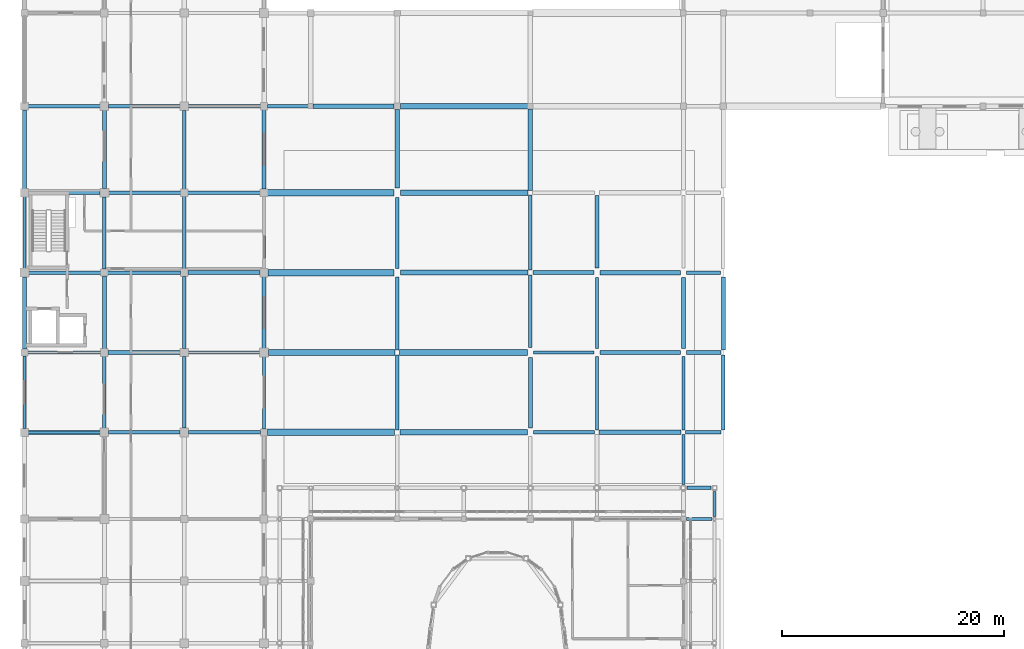
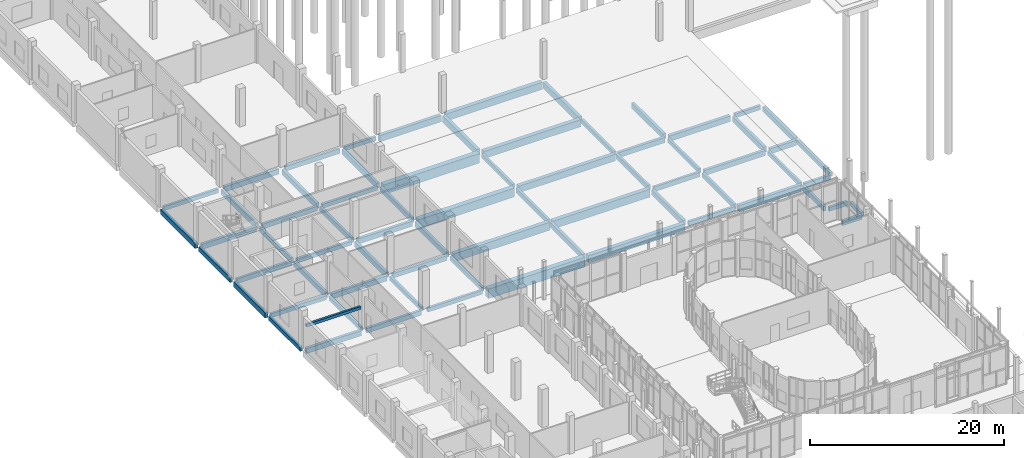
# One storey, part 49 of 91: 71 beams.
"""IFC4 building model written with IfcOpenShell, lengths in metres."""

from ifc_helpers import new_model, si_unit, direction, frame, origin, origin_2d, place, context, subcontext, project, spatial, rectangle, extrude, material, material_profile, profile_set, type_object, element, save


model = new_model("IFC4")

# Units and contexts
model_context = context("Model", 3, precision=1e-05, world=origin(), true_north=direction((0.0, 1.0)))
body_context = subcontext(model_context, "Body", "Model", "MODEL_VIEW")
ifc_project = project(units=[si_unit("LENGTHUNIT", "METRE"), si_unit("AREAUNIT", "SQUARE_METRE"), si_unit("VOLUMEUNIT", "CUBIC_METRE"), si_unit("PLANEANGLEUNIT", "RADIAN"), si_unit("MASSUNIT", "GRAM", prefix="KILO")], contexts=[model_context])

# Site, building, storey
site_placement = place(None, origin())
site = spatial("IfcSite", under=ifc_project, at=site_placement, CompositionType="ELEMENT")
building_placement = place(site_placement, origin())
building = spatial("IfcBuilding", under=site, at=building_placement, Name="Vinh Khe Railworks Police Headquarters", CompositionType="ELEMENT")
storey_placement = place(building_placement, origin())
storey = spatial("IfcBuildingStorey", under=building, at=storey_placement, Name="L00", CompositionType="ELEMENT", Elevation=0.0)

# Beams
ifc_material = material(Name="Concrete C35/45 (B35)", Category="concrete")
ifc_material_profile_1 = material_profile(ifc_material, rectangle(XDim=0.300048828125, YDim=0.5, at=origin_2d()), Name="RC 300x500")
ifc_profile_set_1 = profile_set([ifc_material_profile_1], Name="Concrete C35/45 (B35)")
beam_type_1 = type_object("IfcBeamType", Name="RC Girder RC 300x500", PredefinedType="BEAM", material=ifc_profile_set_1)
beam_1_placement = place(storey_placement, frame((60.304931640625, 61.60009765625, -0.530029296875), z_axis=(1.0, 0.0, 0.0), x_axis=(0.0, 1.0, 0.0)))
element("IfcBeam", 1, at=beam_1_placement, inside=storey, type_object=beam_type_1, Name="Girder BM-L00-EW-RB-10-0090", PredefinedType="BEAM", context=body_context, shape_type="SweptSolid", body=[
    extrude(rectangle(XDim=0.300048828125, YDim=0.5, at=origin_2d()), origin(), (0.0, 0.0, 1.0), 2.190185546875),
])
beam_2_placement = place(storey_placement, frame((15.3798828125, 66.60009765625, -0.530029296875), z_axis=(1.0, 0.0, 0.0), x_axis=(0.0, 1.0, 0.0)))
element("IfcBeam", 2, at=beam_2_placement, inside=storey, type_object=beam_type_1, Name="Girder BM-L00-EW-RB-10-0093", PredefinedType="BEAM", context=body_context, shape_type="SweptSolid", body=[
    extrude(rectangle(XDim=0.300048828125, YDim=0.5, at=origin_2d()), origin(), (0.0, 0.0, 1.0), 6.51513671875),
])
beam_3_placement = place(storey_placement, frame((46.47998046875, 66.60009765625, -0.530029296875), z_axis=(1.0, 0.0, 0.0), x_axis=(0.0, 1.0, 0.0)))
element("IfcBeam", 3, at=beam_3_placement, inside=storey, type_object=beam_type_1, Name="Girder BM-L00-EW-RB-10-0096", PredefinedType="BEAM", context=body_context, shape_type="SweptSolid", body=[
    extrude(rectangle(XDim=0.300048828125, YDim=0.5, at=origin_2d()), origin(), (0.0, 0.0, 1.0), 5.51513671875),
])
for number, where, z_axis, x_axis, name in (
    (4, (0.905029296875, 73.800048828125, -0.530029296875), (1.0, 0.0, 0.0), (0.0, 1.0, 0.0), "Girder BM-L00-EW-RB-10-0099"),
    (5, (8.10498046875, 81.0, -0.530029296875), (1.0, 0.0, 0.0), (0.0, 1.0, 0.0), "Girder BM-L00-EW-RB-10-0108"),
):
    element("IfcBeam", number, at=place(storey_placement, frame(where, z_axis=z_axis, x_axis=x_axis)), inside=storey, type_object=beam_type_1, Name=name, PredefinedType="BEAM", context=body_context, shape_type="SweptSolid", body=[
        extrude(rectangle(XDim=0.300048828125, YDim=0.5, at=origin_2d()), origin(), (0.0, 0.0, 1.0), 6.56494140625),
    ])
beam_4_placement = place(storey_placement, frame((60.280029296875, 81.0, -0.530029296875), z_axis=(1.0, 0.0, 0.0), x_axis=(0.0, 1.0, 0.0)))
element("IfcBeam", 6, at=beam_4_placement, inside=storey, type_object=beam_type_1, Name="Girder BM-L00-EW-RB-10-0114", PredefinedType="BEAM", context=body_context, shape_type="SweptSolid", body=[
    extrude(rectangle(XDim=0.300048828125, YDim=0.5, at=origin_2d()), origin(), (0.0, 0.0, 1.0), 3.0400390625),
])
beam_5_placement = place(storey_placement, frame((15.304931640625, 88.199951171875, -0.530029296875), z_axis=(1.0, 0.0, 0.0), x_axis=(0.0, 1.0, 0.0)))
element("IfcBeam", 7, at=beam_5_placement, inside=storey, type_object=beam_type_1, Name="Girder BM-L00-EW-RB-10-0117", PredefinedType="BEAM", context=body_context, shape_type="SweptSolid", body=[
    extrude(rectangle(XDim=0.300048828125, YDim=0.5, at=origin_2d()), origin(), (0.0, 0.0, 1.0), 6.565185546875),
])
beam_6_placement = place(storey_placement, frame((0.929931640625, 96.0, -0.530029296875), z_axis=(1.0, 0.0, 0.0), x_axis=(0.0, 1.0, 0.0)))
element("IfcBeam", 8, at=beam_6_placement, inside=storey, type_object=beam_type_1, Name="Girder BM-L00-EW-RB-10-0123", PredefinedType="BEAM", context=body_context, shape_type="SweptSolid", body=[
    extrude(rectangle(XDim=0.300048828125, YDim=0.5, at=origin_2d()), origin(), (0.0, 0.0, 1.0), 6.51513671875),
])
beam_7_placement = place(storey_placement, frame((22.5048828125, 96.0, -0.530029296875), z_axis=(1.0, 0.0, 0.0), x_axis=(0.0, 1.0, 0.0)))
element("IfcBeam", 9, at=beam_7_placement, inside=storey, type_object=beam_type_1, Name="Girder BM-L00-EW-RB-10-0126", PredefinedType="BEAM", context=body_context, shape_type="SweptSolid", body=[
    extrude(rectangle(XDim=0.300048828125, YDim=0.5, at=origin_2d()), origin(), (0.0, 0.0, 1.0), 3.690185546875),
])
beam_8_placement = place(storey_placement, frame((0.60009765625, 66.929931640625, -0.530029296875), z_axis=(0.0, 1.0, 0.0), x_axis=(-1.0, 0.0, 0.0)))
element("IfcBeam", 10, at=beam_8_placement, inside=storey, type_object=beam_type_1, Name="Girder BM-L00-NS-RB-10-0201", PredefinedType="BEAM", context=body_context, shape_type="SweptSolid", body=[
    extrude(rectangle(XDim=0.300048828125, YDim=0.5, at=origin_2d()), origin(), (0.0, 0.0, 1.0), 6.565185546875),
])
beam_9_placement = place(storey_placement, frame((7.800048828125, 66.955078125, -0.530029296875), z_axis=(0.0, 1.0, 0.0), x_axis=(-1.0, 0.0, 0.0)))
element("IfcBeam", 11, at=beam_9_placement, inside=storey, type_object=beam_type_1, Name="Girder BM-L00-NS-RB-10-0219", PredefinedType="BEAM", context=body_context, shape_type="SweptSolid", body=[
    extrude(rectangle(XDim=0.300048828125, YDim=0.5, at=origin_2d()), origin(), (0.0, 0.0, 1.0), 6.514892578125),
])
beam_10_placement = place(storey_placement, frame((15.0, 66.97998046875, -0.530029296875), z_axis=(0.0, 1.0, 0.0), x_axis=(-1.0, 0.0, 0.0)))
element("IfcBeam", 12, at=beam_10_placement, inside=storey, type_object=beam_type_1, Name="Girder BM-L00-NS-RB-10-0237", PredefinedType="BEAM", context=body_context, shape_type="SweptSolid", body=[
    extrude(rectangle(XDim=0.300048828125, YDim=0.5, at=origin_2d()), origin(), (0.0, 0.0, 1.0), 6.465087890625),
])
beam_11_placement = place(storey_placement, frame((22.199951171875, 66.905029296875, -0.530029296875), z_axis=(0.0, 1.0, 0.0), x_axis=(-1.0, 0.0, 0.0)))
element("IfcBeam", 13, at=beam_11_placement, inside=storey, type_object=beam_type_1, Name="Girder BM-L00-NS-RB-10-0255", PredefinedType="BEAM", context=body_context, shape_type="SweptSolid", body=[
    extrude(rectangle(XDim=0.300048828125, YDim=0.5, at=origin_2d()), origin(), (0.0, 0.0, 1.0), 6.514892578125),
])
beam_12_placement = place(storey_placement, frame((34.199951171875, 81.3798828125, -0.530029296875), z_axis=(0.0, 1.0, 0.0), x_axis=(-1.0, 0.0, 0.0)))
element("IfcBeam", 14, at=beam_12_placement, inside=storey, type_object=beam_type_1, Name="Girder BM-L00-NS-RB-10-0291", PredefinedType="BEAM", context=body_context, shape_type="SweptSolid", body=[
    extrude(rectangle(XDim=0.300048828125, YDim=0.5, at=origin_2d()), origin(), (0.0, 0.0, 1.0), 6.39013671875),
])
beam_13_placement = place(storey_placement, frame((46.199951171875, 81.22998046875, -0.530029296875), z_axis=(0.0, 1.0, 0.0), x_axis=(-1.0, 0.0, 0.0)))
element("IfcBeam", 15, at=beam_13_placement, inside=storey, type_object=beam_type_1, Name="Girder BM-L00-NS-RB-10-0306", PredefinedType="BEAM", context=body_context, shape_type="SweptSolid", body=[
    extrude(rectangle(XDim=0.300048828125, YDim=0.5, at=origin_2d()), origin(), (0.0, 0.0, 1.0), 6.76513671875),
])
beam_14_placement = place(storey_placement, frame((52.199951171875, 74.179931640625, -0.530029296875), z_axis=(0.0, 1.0, 0.0), x_axis=(-1.0, 0.0, 0.0)))
element("IfcBeam", 16, at=beam_14_placement, inside=storey, type_object=beam_type_1, Name="Girder BM-L00-NS-RB-10-0315", PredefinedType="BEAM", context=body_context, shape_type="SweptSolid", body=[
    extrude(rectangle(XDim=0.300048828125, YDim=0.5, at=origin_2d()), origin(), (0.0, 0.0, 1.0), 6.39013671875),
])
beam_15_placement = place(storey_placement, frame((60.0, 66.804931640625, -0.530029296875), z_axis=(0.0, 1.0, 0.0), x_axis=(-1.0, 0.0, 0.0)))
element("IfcBeam", 17, at=beam_15_placement, inside=storey, type_object=beam_type_1, Name="Girder BM-L00-NS-RB-10-0330", PredefinedType="BEAM", context=body_context, shape_type="SweptSolid", body=[
    extrude(rectangle(XDim=0.300048828125, YDim=0.5, at=origin_2d()), origin(), (0.0, 0.0, 1.0), 6.614990234375),
])
beam_16_placement = place(storey_placement, frame((62.800048828125, 59.030029296875, -0.530029296875), z_axis=(0.0, 1.0, 0.0), x_axis=(-1.0, 0.0, 0.0)))
element("IfcBeam", 18, at=beam_16_placement, inside=storey, type_object=beam_type_1, Name="Girder BM-L00-NS-RB-10-0342", PredefinedType="BEAM", context=body_context, shape_type="SweptSolid", body=[
    extrude(rectangle(XDim=0.300048828125, YDim=0.5, at=origin_2d()), origin(), (0.0, 0.0, 1.0), 2.264892578125),
])
beam_17_placement = place(storey_placement, frame((63.60009765625, 66.830078125, -0.530029296875), z_axis=(0.0, 1.0, 0.0), x_axis=(-1.0, 0.0, 0.0)))
element("IfcBeam", 19, at=beam_17_placement, inside=storey, type_object=beam_type_1, Name="Girder BM-L00-NS-RB-10-0345", PredefinedType="BEAM", context=body_context, shape_type="SweptSolid", body=[
    extrude(rectangle(XDim=0.300048828125, YDim=0.5, at=origin_2d()), origin(), (0.0, 0.0, 1.0), 6.764892578125),
])
ifc_material_profile_2 = material_profile(ifc_material, rectangle(XDim=0.300048828125, YDim=0.60009765625, at=origin_2d()), Name="RC 300x600")
ifc_profile_set_2 = profile_set([ifc_material_profile_2], Name="Concrete C35/45 (B35)")
beam_type_2 = type_object("IfcBeamType", Name="RC Girder RC 300x600", PredefinedType="BEAM", material=ifc_profile_set_2)
beam_18_placement = place(storey_placement, frame((60.2548828125, 58.800048828125, -0.580078125), z_axis=(1.0, 0.0, 0.0), x_axis=(0.0, 1.0, 0.0)))
element("IfcBeam", 20, at=beam_18_placement, inside=storey, type_object=beam_type_2, Name="Girder BM-L00-EW-RB-09-0083", PredefinedType="BEAM", context=body_context, shape_type="SweptSolid", body=[
    extrude(rectangle(XDim=0.300048828125, YDim=0.60009765625, at=origin_2d()), origin(), (0.0, 0.0, 1.0), 2.315185546875),
])
beam_19_placement = place(storey_placement, frame((8.155029296875, 66.60009765625, -0.580078125), z_axis=(1.0, 0.0, 0.0), x_axis=(0.0, 1.0, 0.0)))
element("IfcBeam", 21, at=beam_19_placement, inside=storey, type_object=beam_type_2, Name="Girder BM-L00-EW-RB-09-0092", PredefinedType="BEAM", context=body_context, shape_type="SweptSolid", body=[
    extrude(rectangle(XDim=0.300048828125, YDim=0.60009765625, at=origin_2d()), origin(), (0.0, 0.0, 1.0), 6.465087890625),
])
beam_20_placement = place(storey_placement, frame((60.205078125, 66.60009765625, -0.580078125), z_axis=(1.0, 0.0, 0.0), x_axis=(0.0, 1.0, 0.0)))
element("IfcBeam", 22, at=beam_20_placement, inside=storey, type_object=beam_type_2, Name="Girder BM-L00-EW-RB-09-0098", PredefinedType="BEAM", context=body_context, shape_type="SweptSolid", body=[
    extrude(rectangle(XDim=0.300048828125, YDim=0.60009765625, at=origin_2d()), origin(), (0.0, 0.0, 1.0), 3.1650390625),
])
beam_21_placement = place(storey_placement, frame((15.35498046875, 73.800048828125, -0.580078125), z_axis=(1.0, 0.0, 0.0), x_axis=(0.0, 1.0, 0.0)))
element("IfcBeam", 23, at=beam_21_placement, inside=storey, type_object=beam_type_2, Name="Girder BM-L00-EW-RB-09-0101", PredefinedType="BEAM", context=body_context, shape_type="SweptSolid", body=[
    extrude(rectangle(XDim=0.300048828125, YDim=0.60009765625, at=origin_2d()), origin(), (0.0, 0.0, 1.0), 6.465087890625),
])
beam_22_placement = place(storey_placement, frame((46.47998046875, 73.800048828125, -0.580078125), z_axis=(1.0, 0.0, 0.0), x_axis=(0.0, 1.0, 0.0)))
element("IfcBeam", 24, at=beam_22_placement, inside=storey, type_object=beam_type_2, Name="Girder BM-L00-EW-RB-09-0104", PredefinedType="BEAM", context=body_context, shape_type="SweptSolid", body=[
    extrude(rectangle(XDim=0.300048828125, YDim=0.60009765625, at=origin_2d()), origin(), (0.0, 0.0, 1.0), 5.43994140625),
])
for number, where, z_axis, x_axis, name in (
    (25, (0.97998046875, 81.0, -0.580078125), (1.0, 0.0, 0.0), (0.0, 1.0, 0.0), "Girder BM-L00-EW-RB-09-0107"),
    (26, (8.179931640625, 88.199951171875, -0.580078125), (1.0, 0.0, 0.0), (0.0, 1.0, 0.0), "Girder BM-L00-EW-RB-09-0116"),
    (27, (15.3798828125, 96.0, -0.580078125), (1.0, 0.0, 0.0), (0.0, 1.0, 0.0), "Girder BM-L00-EW-RB-09-0125"),
):
    element("IfcBeam", number, at=place(storey_placement, frame(where, z_axis=z_axis, x_axis=x_axis)), inside=storey, type_object=beam_type_2, Name=name, PredefinedType="BEAM", context=body_context, shape_type="SweptSolid", body=[
        extrude(rectangle(XDim=0.300048828125, YDim=0.60009765625, at=origin_2d()), origin(), (0.0, 0.0, 1.0), 6.51513671875),
    ])
beam_23_placement = place(storey_placement, frame((0.60009765625, 81.3798828125, -0.580078125), z_axis=(0.0, 1.0, 0.0), x_axis=(-1.0, 0.0, 0.0)))
element("IfcBeam", 28, at=beam_23_placement, inside=storey, type_object=beam_type_2, Name="Girder BM-L00-NS-RB-09-0203", PredefinedType="BEAM", context=body_context, shape_type="SweptSolid", body=[
    extrude(rectangle(XDim=0.300048828125, YDim=0.60009765625, at=origin_2d()), origin(), (0.0, 0.0, 1.0), 6.465087890625),
])
beam_24_placement = place(storey_placement, frame((7.800048828125, 81.304931640625, -0.580078125), z_axis=(0.0, 1.0, 0.0), x_axis=(-1.0, 0.0, 0.0)))
element("IfcBeam", 29, at=beam_24_placement, inside=storey, type_object=beam_type_2, Name="Girder BM-L00-NS-RB-09-0221", PredefinedType="BEAM", context=body_context, shape_type="SweptSolid", body=[
    extrude(rectangle(XDim=0.300048828125, YDim=0.60009765625, at=origin_2d()), origin(), (0.0, 0.0, 1.0), 6.51513671875),
])
beam_25_placement = place(storey_placement, frame((15.0, 81.330078125, -0.580078125), z_axis=(0.0, 1.0, 0.0), x_axis=(-1.0, 0.0, 0.0)))
element("IfcBeam", 30, at=beam_25_placement, inside=storey, type_object=beam_type_2, Name="Girder BM-L00-NS-RB-09-0239", PredefinedType="BEAM", context=body_context, shape_type="SweptSolid", body=[
    extrude(rectangle(XDim=0.300048828125, YDim=0.60009765625, at=origin_2d()), origin(), (0.0, 0.0, 1.0), 6.56494140625),
])
beam_26_placement = place(storey_placement, frame((22.199951171875, 81.35498046875, -0.580078125), z_axis=(0.0, 1.0, 0.0), x_axis=(-1.0, 0.0, 0.0)))
element("IfcBeam", 31, at=beam_26_placement, inside=storey, type_object=beam_type_2, Name="Girder BM-L00-NS-RB-09-0257", PredefinedType="BEAM", context=body_context, shape_type="SweptSolid", body=[
    extrude(rectangle(XDim=0.300048828125, YDim=0.60009765625, at=origin_2d()), origin(), (0.0, 0.0, 1.0), 6.51513671875),
])
beam_27_placement = place(storey_placement, frame((34.199951171875, 74.0048828125, -0.580078125), z_axis=(0.0, 1.0, 0.0), x_axis=(-1.0, 0.0, 0.0)))
element("IfcBeam", 32, at=beam_27_placement, inside=storey, type_object=beam_type_2, Name="Girder BM-L00-NS-RB-09-0290", PredefinedType="BEAM", context=body_context, shape_type="SweptSolid", body=[
    extrude(rectangle(XDim=0.300048828125, YDim=0.60009765625, at=origin_2d()), origin(), (0.0, 0.0, 1.0), 6.615234375),
])
beam_28_placement = place(storey_placement, frame((46.199951171875, 74.22998046875, -0.580078125), z_axis=(0.0, 1.0, 0.0), x_axis=(-1.0, 0.0, 0.0)))
element("IfcBeam", 33, at=beam_28_placement, inside=storey, type_object=beam_type_2, Name="Girder BM-L00-NS-RB-09-0305", PredefinedType="BEAM", context=body_context, shape_type="SweptSolid", body=[
    extrude(rectangle(XDim=0.300048828125, YDim=0.60009765625, at=origin_2d()), origin(), (0.0, 0.0, 1.0), 6.5400390625),
])
beam_29_placement = place(storey_placement, frame((52.199951171875, 66.804931640625, -0.580078125), z_axis=(0.0, 1.0, 0.0), x_axis=(-1.0, 0.0, 0.0)))
element("IfcBeam", 34, at=beam_29_placement, inside=storey, type_object=beam_type_2, Name="Girder BM-L00-NS-RB-09-0314", PredefinedType="BEAM", context=body_context, shape_type="SweptSolid", body=[
    extrude(rectangle(XDim=0.300048828125, YDim=0.60009765625, at=origin_2d()), origin(), (0.0, 0.0, 1.0), 6.614990234375),
])
beam_30_placement = place(storey_placement, frame((60.0, 61.905029296875, -0.580078125), z_axis=(0.0, 1.0, 0.0), x_axis=(-1.0, 0.0, 0.0)))
element("IfcBeam", 35, at=beam_30_placement, inside=storey, type_object=beam_type_2, Name="Girder BM-L00-NS-RB-09-0329", PredefinedType="BEAM", context=body_context, shape_type="SweptSolid", body=[
    extrude(rectangle(XDim=0.300048828125, YDim=0.60009765625, at=origin_2d()), origin(), (0.0, 0.0, 1.0), 4.489990234375),
])
ifc_material_profile_3 = material_profile(ifc_material, rectangle(XDim=0.35009765625, YDim=0.64990234375, at=origin_2d()), Name="RC 350x650")
ifc_profile_set_3 = profile_set([ifc_material_profile_3], Name="Concrete C35/45 (B35)")
beam_type_3 = type_object("IfcBeamType", Name="RC Girder RC 350x650", PredefinedType="BEAM", material=ifc_profile_set_3)
for number, where, z_axis, x_axis, name in (
    (36, (0.929931640625, 66.60009765625, -0.60498046875), (1.0, 0.0, 0.0), (0.0, 1.0, 0.0), "Girder BM-L00-EW-RB-08-0091"),
    (37, (8.1298828125, 73.800048828125, -0.60498046875), (1.0, 0.0, 0.0), (0.0, 1.0, 0.0), "Girder BM-L00-EW-RB-08-0100"),
):
    element("IfcBeam", number, at=place(storey_placement, frame(where, z_axis=z_axis, x_axis=x_axis)), inside=storey, type_object=beam_type_3, Name=name, PredefinedType="BEAM", context=body_context, shape_type="SweptSolid", body=[
        extrude(rectangle(XDim=0.35009765625, YDim=0.64990234375, at=origin_2d()), origin(), (0.0, 0.0, 1.0), 6.51513671875),
    ])
beam_31_placement = place(storey_placement, frame((52.47998046875, 73.800048828125, -0.60498046875), z_axis=(1.0, 0.0, 0.0), x_axis=(0.0, 1.0, 0.0)))
element("IfcBeam", 38, at=beam_31_placement, inside=storey, type_object=beam_type_3, Name="Girder BM-L00-EW-RB-08-0105", PredefinedType="BEAM", context=body_context, shape_type="SweptSolid", body=[
    extrude(rectangle(XDim=0.35009765625, YDim=0.64990234375, at=origin_2d()), origin(), (0.0, 0.0, 1.0), 7.239990234375),
])
beam_32_placement = place(storey_placement, frame((60.280029296875, 73.800048828125, -0.60498046875), z_axis=(1.0, 0.0, 0.0), x_axis=(0.0, 1.0, 0.0)))
element("IfcBeam", 39, at=beam_32_placement, inside=storey, type_object=beam_type_3, Name="Girder BM-L00-EW-RB-08-0106", PredefinedType="BEAM", context=body_context, shape_type="SweptSolid", body=[
    extrude(rectangle(XDim=0.35009765625, YDim=0.64990234375, at=origin_2d()), origin(), (0.0, 0.0, 1.0), 3.114990234375),
])
beam_33_placement = place(storey_placement, frame((15.330078125, 81.0, -0.60498046875), z_axis=(1.0, 0.0, 0.0), x_axis=(0.0, 1.0, 0.0)))
element("IfcBeam", 40, at=beam_33_placement, inside=storey, type_object=beam_type_3, Name="Girder BM-L00-EW-RB-08-0109", PredefinedType="BEAM", context=body_context, shape_type="SweptSolid", body=[
    extrude(rectangle(XDim=0.35009765625, YDim=0.64990234375, at=origin_2d()), origin(), (0.0, 0.0, 1.0), 6.514892578125),
])
beam_34_placement = place(storey_placement, frame((46.429931640625, 81.0, -0.60498046875), z_axis=(1.0, 0.0, 0.0), x_axis=(0.0, 1.0, 0.0)))
element("IfcBeam", 41, at=beam_34_placement, inside=storey, type_object=beam_type_3, Name="Girder BM-L00-EW-RB-08-0112", PredefinedType="BEAM", context=body_context, shape_type="SweptSolid", body=[
    extrude(rectangle(XDim=0.35009765625, YDim=0.64990234375, at=origin_2d()), origin(), (0.0, 0.0, 1.0), 5.489990234375),
])
beam_35_placement = place(storey_placement, frame((0.955078125, 88.199951171875, -0.60498046875), z_axis=(1.0, 0.0, 0.0), x_axis=(0.0, 1.0, 0.0)))
element("IfcBeam", 42, at=beam_35_placement, inside=storey, type_object=beam_type_3, Name="Girder BM-L00-EW-RB-08-0115", PredefinedType="BEAM", context=body_context, shape_type="SweptSolid", body=[
    extrude(rectangle(XDim=0.35009765625, YDim=0.64990234375, at=origin_2d()), origin(), (0.0, 0.0, 1.0), 6.46484375),
])
beam_36_placement = place(storey_placement, frame((8.155029296875, 96.0, -0.60498046875), z_axis=(1.0, 0.0, 0.0), x_axis=(0.0, 1.0, 0.0)))
element("IfcBeam", 43, at=beam_36_placement, inside=storey, type_object=beam_type_3, Name="Girder BM-L00-EW-RB-08-0124", PredefinedType="BEAM", context=body_context, shape_type="SweptSolid", body=[
    extrude(rectangle(XDim=0.35009765625, YDim=0.64990234375, at=origin_2d()), origin(), (0.0, 0.0, 1.0), 6.465087890625),
])
beam_37_placement = place(storey_placement, frame((0.60009765625, 74.10498046875, -0.60498046875), z_axis=(0.0, 1.0, 0.0), x_axis=(-1.0, 0.0, 0.0)))
element("IfcBeam", 44, at=beam_37_placement, inside=storey, type_object=beam_type_3, Name="Girder BM-L00-NS-RB-08-0202", PredefinedType="BEAM", context=body_context, shape_type="SweptSolid", body=[
    extrude(rectangle(XDim=0.35009765625, YDim=0.64990234375, at=origin_2d()), origin(), (0.0, 0.0, 1.0), 6.51513671875),
])
beam_38_placement = place(storey_placement, frame((0.60009765625, 88.554931640625, -0.60498046875), z_axis=(0.0, 1.0, 0.0), x_axis=(-1.0, 0.0, 0.0)))
element("IfcBeam", 45, at=beam_38_placement, inside=storey, type_object=beam_type_3, Name="Girder BM-L00-NS-RB-08-0204", PredefinedType="BEAM", context=body_context, shape_type="SweptSolid", body=[
    extrude(rectangle(XDim=0.35009765625, YDim=0.64990234375, at=origin_2d()), origin(), (0.0, 0.0, 1.0), 7.114990234375),
])
beam_39_placement = place(storey_placement, frame((7.800048828125, 74.1298828125, -0.60498046875), z_axis=(0.0, 1.0, 0.0), x_axis=(-1.0, 0.0, 0.0)))
element("IfcBeam", 46, at=beam_39_placement, inside=storey, type_object=beam_type_3, Name="Girder BM-L00-NS-RB-08-0220", PredefinedType="BEAM", context=body_context, shape_type="SweptSolid", body=[
    extrude(rectangle(XDim=0.35009765625, YDim=0.64990234375, at=origin_2d()), origin(), (0.0, 0.0, 1.0), 6.565185546875),
])
beam_40_placement = place(storey_placement, frame((7.800048828125, 88.580078125, -0.60498046875), z_axis=(0.0, 1.0, 0.0), x_axis=(-1.0, 0.0, 0.0)))
element("IfcBeam", 47, at=beam_40_placement, inside=storey, type_object=beam_type_3, Name="Girder BM-L00-NS-RB-08-0222", PredefinedType="BEAM", context=body_context, shape_type="SweptSolid", body=[
    extrude(rectangle(XDim=0.35009765625, YDim=0.64990234375, at=origin_2d()), origin(), (0.0, 0.0, 1.0), 7.06494140625),
])
beam_41_placement = place(storey_placement, frame((15.0, 74.155029296875, -0.60498046875), z_axis=(0.0, 1.0, 0.0), x_axis=(-1.0, 0.0, 0.0)))
element("IfcBeam", 48, at=beam_41_placement, inside=storey, type_object=beam_type_3, Name="Girder BM-L00-NS-RB-08-0238", PredefinedType="BEAM", context=body_context, shape_type="SweptSolid", body=[
    extrude(rectangle(XDim=0.35009765625, YDim=0.64990234375, at=origin_2d()), origin(), (0.0, 0.0, 1.0), 6.514892578125),
])
beam_42_placement = place(storey_placement, frame((15.0, 88.5048828125, -0.60498046875), z_axis=(0.0, 1.0, 0.0), x_axis=(-1.0, 0.0, 0.0)))
element("IfcBeam", 49, at=beam_42_placement, inside=storey, type_object=beam_type_3, Name="Girder BM-L00-NS-RB-08-0240", PredefinedType="BEAM", context=body_context, shape_type="SweptSolid", body=[
    extrude(rectangle(XDim=0.35009765625, YDim=0.64990234375, at=origin_2d()), origin(), (0.0, 0.0, 1.0), 7.115234375),
])
beam_43_placement = place(storey_placement, frame((22.199951171875, 74.179931640625, -0.60498046875), z_axis=(0.0, 1.0, 0.0), x_axis=(-1.0, 0.0, 0.0)))
element("IfcBeam", 50, at=beam_43_placement, inside=storey, type_object=beam_type_3, Name="Girder BM-L00-NS-RB-08-0256", PredefinedType="BEAM", context=body_context, shape_type="SweptSolid", body=[
    extrude(rectangle(XDim=0.35009765625, YDim=0.64990234375, at=origin_2d()), origin(), (0.0, 0.0, 1.0), 6.465087890625),
])
beam_44_placement = place(storey_placement, frame((22.199951171875, 88.530029296875, -0.60498046875), z_axis=(0.0, 1.0, 0.0), x_axis=(-1.0, 0.0, 0.0)))
element("IfcBeam", 51, at=beam_44_placement, inside=storey, type_object=beam_type_3, Name="Girder BM-L00-NS-RB-08-0258", PredefinedType="BEAM", context=body_context, shape_type="SweptSolid", body=[
    extrude(rectangle(XDim=0.35009765625, YDim=0.64990234375, at=origin_2d()), origin(), (0.0, 0.0, 1.0), 7.1650390625),
])
beam_45_placement = place(storey_placement, frame((34.199951171875, 66.830078125, -0.60498046875), z_axis=(0.0, 1.0, 0.0), x_axis=(-1.0, 0.0, 0.0)))
element("IfcBeam", 52, at=beam_45_placement, inside=storey, type_object=beam_type_3, Name="Girder BM-L00-NS-RB-08-0289", PredefinedType="BEAM", context=body_context, shape_type="SweptSolid", body=[
    extrude(rectangle(XDim=0.35009765625, YDim=0.64990234375, at=origin_2d()), origin(), (0.0, 0.0, 1.0), 6.764892578125),
])
beam_46_placement = place(storey_placement, frame((46.199951171875, 66.97998046875, -0.60498046875), z_axis=(0.0, 1.0, 0.0), x_axis=(-1.0, 0.0, 0.0)))
element("IfcBeam", 53, at=beam_46_placement, inside=storey, type_object=beam_type_3, Name="Girder BM-L00-NS-RB-08-0304", PredefinedType="BEAM", context=body_context, shape_type="SweptSolid", body=[
    extrude(rectangle(XDim=0.35009765625, YDim=0.64990234375, at=origin_2d()), origin(), (0.0, 0.0, 1.0), 6.39013671875),
])
beam_47_placement = place(storey_placement, frame((52.199951171875, 81.429931640625, -0.60498046875), z_axis=(0.0, 1.0, 0.0), x_axis=(-1.0, 0.0, 0.0)))
element("IfcBeam", 54, at=beam_47_placement, inside=storey, type_object=beam_type_3, Name="Girder BM-L00-NS-RB-08-0316", PredefinedType="BEAM", context=body_context, shape_type="SweptSolid", body=[
    extrude(rectangle(XDim=0.35009765625, YDim=0.64990234375, at=origin_2d()), origin(), (0.0, 0.0, 1.0), 6.5400390625),
])
beam_48_placement = place(storey_placement, frame((60.0, 74.179931640625, -0.60498046875), z_axis=(0.0, 1.0, 0.0), x_axis=(-1.0, 0.0, 0.0)))
element("IfcBeam", 55, at=beam_48_placement, inside=storey, type_object=beam_type_3, Name="Girder BM-L00-NS-RB-08-0331", PredefinedType="BEAM", context=body_context, shape_type="SweptSolid", body=[
    extrude(rectangle(XDim=0.35009765625, YDim=0.64990234375, at=origin_2d()), origin(), (0.0, 0.0, 1.0), 6.39013671875),
])
beam_49_placement = place(storey_placement, frame((63.60009765625, 74.0048828125, -0.60498046875), z_axis=(0.0, 1.0, 0.0), x_axis=(-1.0, 0.0, 0.0)))
element("IfcBeam", 56, at=beam_49_placement, inside=storey, type_object=beam_type_3, Name="Girder BM-L00-NS-RB-08-0346", PredefinedType="BEAM", context=body_context, shape_type="SweptSolid", body=[
    extrude(rectangle(XDim=0.35009765625, YDim=0.64990234375, at=origin_2d()), origin(), (0.0, 0.0, 1.0), 6.615234375),
])
ifc_material_profile_4 = material_profile(ifc_material, rectangle(XDim=0.39990234375, YDim=0.699951171875, at=origin_2d()), Name="RC 400x700")
ifc_profile_set_4 = profile_set([ifc_material_profile_4], Name="Concrete C35/45 (B35)")
beam_type_4 = type_object("IfcBeamType", Name="RC Girder RC 400x700", PredefinedType="BEAM", material=ifc_profile_set_4)
beam_50_placement = place(storey_placement, frame((52.47998046875, 81.0, -0.6298828125), z_axis=(1.0, 0.0, 0.0), x_axis=(0.0, 1.0, 0.0)))
element("IfcBeam", 57, at=beam_50_placement, inside=storey, type_object=beam_type_4, Name="Girder BM-L00-EW-RB-07-0113", PredefinedType="BEAM", context=body_context, shape_type="SweptSolid", body=[
    extrude(rectangle(XDim=0.39990234375, YDim=0.699951171875, at=origin_2d()), origin(), (0.0, 0.0, 1.0), 7.239990234375),
])
ifc_material_profile_5 = material_profile(ifc_material, rectangle(XDim=0.39990234375, YDim=0.800048828125, at=origin_2d()), Name="RC 400x800")
ifc_profile_set_5 = profile_set([ifc_material_profile_5], Name="Concrete C35/45 (B35)")
beam_type_5 = type_object("IfcBeamType", Name="RC Girder RC 400x800", PredefinedType="BEAM", material=ifc_profile_set_5)
beam_51_placement = place(storey_placement, frame((52.405029296875, 66.60009765625, -0.679931640625), z_axis=(1.0, 0.0, 0.0), x_axis=(0.0, 1.0, 0.0)))
element("IfcBeam", 58, at=beam_51_placement, inside=storey, type_object=beam_type_5, Name="Girder BM-L00-EW-RB-06-0097", PredefinedType="BEAM", context=body_context, shape_type="SweptSolid", body=[
    extrude(rectangle(XDim=0.39990234375, YDim=0.800048828125, at=origin_2d()), origin(), (0.0, 0.0, 1.0), 7.389892578125),
])
beam_52_placement = place(storey_placement, frame((26.60498046875, 96.0, -0.679931640625), z_axis=(1.0, 0.0, 0.0), x_axis=(0.0, 1.0, 0.0)))
element("IfcBeam", 59, at=beam_52_placement, inside=storey, type_object=beam_type_5, Name="Girder BM-L00-EW-RB-06-0127", PredefinedType="BEAM", context=body_context, shape_type="SweptSolid", body=[
    extrude(rectangle(XDim=0.39990234375, YDim=0.800048828125, at=origin_2d()), origin(), (0.0, 0.0, 1.0), 7.31494140625),
])
beam_53_placement = place(storey_placement, frame((34.199951171875, 88.6298828125, -0.679931640625), z_axis=(0.0, 1.0, 0.0), x_axis=(-1.0, 0.0, 0.0)))
element("IfcBeam", 60, at=beam_53_placement, inside=storey, type_object=beam_type_5, Name="Girder BM-L00-NS-RB-06-0292", PredefinedType="BEAM", context=body_context, shape_type="SweptSolid", body=[
    extrude(rectangle(XDim=0.39990234375, YDim=0.800048828125, at=origin_2d()), origin(), (0.0, 0.0, 1.0), 7.090087890625),
])
beam_54_placement = place(storey_placement, frame((46.199951171875, 88.405029296875, -0.679931640625), z_axis=(0.0, 1.0, 0.0), x_axis=(-1.0, 0.0, 0.0)))
element("IfcBeam", 61, at=beam_54_placement, inside=storey, type_object=beam_type_5, Name="Girder BM-L00-NS-RB-06-0307", PredefinedType="BEAM", context=body_context, shape_type="SweptSolid", body=[
    extrude(rectangle(XDim=0.39990234375, YDim=0.800048828125, at=origin_2d()), origin(), (0.0, 0.0, 1.0), 7.364990234375),
])
ifc_material_profile_6 = material_profile(ifc_material, rectangle(XDim=0.449951171875, YDim=0.85009765625, at=origin_2d()), Name="RC 450x850")
ifc_profile_set_6 = profile_set([ifc_material_profile_6], Name="Concrete C35/45 (B35)")
beam_type_6 = type_object("IfcBeamType", Name="RC Girder RC 450x850", PredefinedType="BEAM", material=ifc_profile_set_6)
beam_55_placement = place(storey_placement, frame((34.47998046875, 81.0, -0.705078125), z_axis=(1.0, 0.0, 0.0), x_axis=(0.0, 1.0, 0.0)))
element("IfcBeam", 62, at=beam_55_placement, inside=storey, type_object=beam_type_6, Name="Girder BM-L00-EW-RB-05-0111", PredefinedType="BEAM", context=body_context, shape_type="SweptSolid", body=[
    extrude(rectangle(XDim=0.449951171875, YDim=0.85009765625, at=origin_2d()), origin(), (0.0, 0.0, 1.0), 11.489990234375),
])
ifc_material_profile_7 = material_profile(ifc_material, rectangle(XDim=0.5, YDim=1.0, at=origin_2d()), Name="RC 500x1000")
ifc_profile_set_7 = profile_set([ifc_material_profile_7], Name="Concrete C35/45 (B35)")
beam_type_7 = type_object("IfcBeamType", Name="RC Girder RC 500x1000", PredefinedType="BEAM", material=ifc_profile_set_7)
beam_56_placement = place(storey_placement, frame((22.580078125, 73.800048828125, -0.780029296875), z_axis=(1.0, 0.0, 0.0), x_axis=(0.0, 1.0, 0.0)))
element("IfcBeam", 63, at=beam_56_placement, inside=storey, type_object=beam_type_7, Name="Girder BM-L00-EW-RB-03-0102", PredefinedType="BEAM", context=body_context, shape_type="SweptSolid", body=[
    extrude(rectangle(XDim=0.5, YDim=1.0, at=origin_2d()), origin(), (0.0, 0.0, 1.0), 11.4150390625),
])
beam_57_placement = place(storey_placement, frame((34.405029296875, 73.800048828125, -0.780029296875), z_axis=(1.0, 0.0, 0.0), x_axis=(0.0, 1.0, 0.0)))
element("IfcBeam", 64, at=beam_57_placement, inside=storey, type_object=beam_type_7, Name="Girder BM-L00-EW-RB-03-0103", PredefinedType="BEAM", context=body_context, shape_type="SweptSolid", body=[
    extrude(rectangle(XDim=0.5, YDim=1.0, at=origin_2d()), origin(), (0.0, 0.0, 1.0), 11.514892578125),
])
ifc_material_profile_8 = material_profile(ifc_material, rectangle(XDim=0.5, YDim=0.89990234375, at=origin_2d()), Name="RC 500x900")
ifc_profile_set_8 = profile_set([ifc_material_profile_8], Name="Concrete C35/45 (B35)")
beam_type_8 = type_object("IfcBeamType", Name="RC Girder RC 500x900", PredefinedType="BEAM", material=ifc_profile_set_8)
beam_58_placement = place(storey_placement, frame((34.429931640625, 66.60009765625, -0.72998046875), z_axis=(1.0, 0.0, 0.0), x_axis=(0.0, 1.0, 0.0)))
element("IfcBeam", 65, at=beam_58_placement, inside=storey, type_object=beam_type_8, Name="Girder BM-L00-EW-RB-04-0095", PredefinedType="BEAM", context=body_context, shape_type="SweptSolid", body=[
    extrude(rectangle(XDim=0.5, YDim=0.89990234375, at=origin_2d()), origin(), (0.0, 0.0, 1.0), 11.489990234375),
])
beam_59_placement = place(storey_placement, frame((34.47998046875, 88.199951171875, -0.72998046875), z_axis=(1.0, 0.0, 0.0), x_axis=(0.0, 1.0, 0.0)))
element("IfcBeam", 66, at=beam_59_placement, inside=storey, type_object=beam_type_8, Name="Girder BM-L00-EW-RB-04-0119", PredefinedType="BEAM", context=body_context, shape_type="SweptSolid", body=[
    extrude(rectangle(XDim=0.5, YDim=0.89990234375, at=origin_2d()), origin(), (0.0, 0.0, 1.0), 11.51513671875),
])
beam_60_placement = place(storey_placement, frame((34.47998046875, 96.0, -0.72998046875), z_axis=(1.0, 0.0, 0.0), x_axis=(0.0, 1.0, 0.0)))
element("IfcBeam", 67, at=beam_60_placement, inside=storey, type_object=beam_type_8, Name="Girder BM-L00-EW-RB-04-0128", PredefinedType="BEAM", context=body_context, shape_type="SweptSolid", body=[
    extrude(rectangle(XDim=0.5, YDim=0.89990234375, at=origin_2d()), origin(), (0.0, 0.0, 1.0), 11.489990234375),
])
ifc_material_profile_9 = material_profile(ifc_material, rectangle(XDim=0.60009765625, YDim=1.10009765625, at=origin_2d()), Name="RC 600x1100")
ifc_profile_set_9 = profile_set([ifc_material_profile_9], Name="Concrete C35/45 (B35)")
beam_type_9 = type_object("IfcBeamType", Name="RC Girder RC 600x1100", PredefinedType="BEAM", material=ifc_profile_set_9)
beam_61_placement = place(storey_placement, frame((22.554931640625, 81.0, -0.830078125), z_axis=(1.0, 0.0, 0.0), x_axis=(0.0, 1.0, 0.0)))
element("IfcBeam", 68, at=beam_61_placement, inside=storey, type_object=beam_type_9, Name="Girder BM-L00-EW-RB-02-0110", PredefinedType="BEAM", context=body_context, shape_type="SweptSolid", body=[
    extrude(rectangle(XDim=0.60009765625, YDim=1.10009765625, at=origin_2d()), origin(), (0.0, 0.0, 1.0), 11.364990234375),
])
ifc_material_profile_10 = material_profile(ifc_material, rectangle(XDim=0.60009765625, YDim=1.199951171875, at=origin_2d()), Name="RC 600x1200")
ifc_profile_set_10 = profile_set([ifc_material_profile_10], Name="Concrete C35/45 (B35)")
beam_type_10 = type_object("IfcBeamType", Name="RC Girder RC 600x1200", PredefinedType="BEAM", material=ifc_profile_set_10)
beam_62_placement = place(storey_placement, frame((22.5048828125, 66.60009765625, -0.8798828125), z_axis=(1.0, 0.0, 0.0), x_axis=(0.0, 1.0, 0.0)))
element("IfcBeam", 69, at=beam_62_placement, inside=storey, type_object=beam_type_10, Name="Girder BM-L00-EW-RB-01-0094", PredefinedType="BEAM", context=body_context, shape_type="SweptSolid", body=[
    extrude(rectangle(XDim=0.60009765625, YDim=1.199951171875, at=origin_2d()), origin(), (0.0, 0.0, 1.0), 11.465087890625),
])
beam_63_placement = place(storey_placement, frame((22.530029296875, 88.199951171875, -0.8798828125), z_axis=(1.0, 0.0, 0.0), x_axis=(0.0, 1.0, 0.0)))
element("IfcBeam", 70, at=beam_63_placement, inside=storey, type_object=beam_type_10, Name="Girder BM-L00-EW-RB-01-0118", PredefinedType="BEAM", context=body_context, shape_type="SweptSolid", body=[
    extrude(rectangle(XDim=0.60009765625, YDim=1.199951171875, at=origin_2d()), origin(), (0.0, 0.0, 1.0), 11.389892578125),
])
ifc_material_profile_11 = material_profile(ifc_material, rectangle(XDim=0.25, YDim=0.35009765625, at=origin_2d()), Name="RC 250x350")
ifc_profile_set_11 = profile_set([ifc_material_profile_11], Name="Concrete C35/45 (B35)")
beam_type_11 = type_object("IfcBeamType", Name="RC Lintel Beam RC 250x350", PredefinedType="LINTEL", material=ifc_profile_set_11)
beam_64_placement = place(storey_placement, frame((0.929931640625, 66.60009765625, 2.550048828125), z_axis=(1.0, 0.0, 0.0), x_axis=(0.0, 1.0, 0.0)))
element("IfcBeam", 71, at=beam_64_placement, inside=storey, type_object=beam_type_11, Name="RC Portal Lintel 04", PredefinedType="LINTEL", context=body_context, shape_type="SweptSolid", body=[
    extrude(rectangle(XDim=0.25, YDim=0.35009765625, at=origin_2d()), origin(), (0.0, 0.0, 1.0), 6.51513671875),
])

save(model, "model.ifc")
